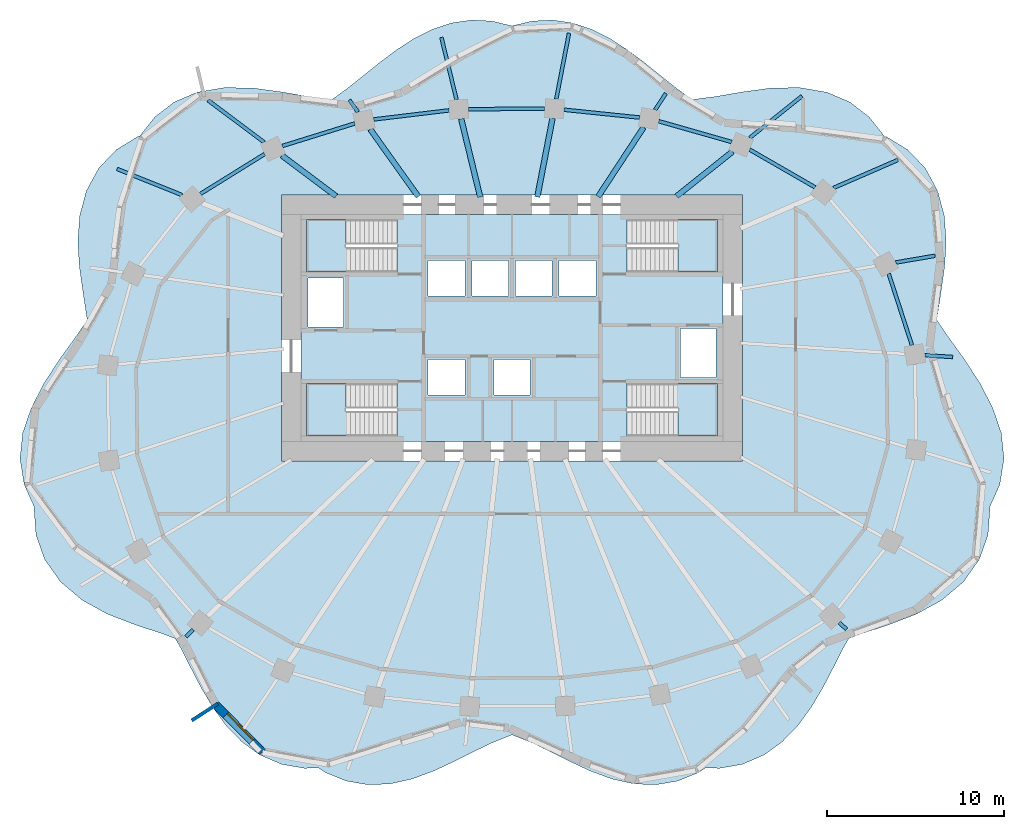
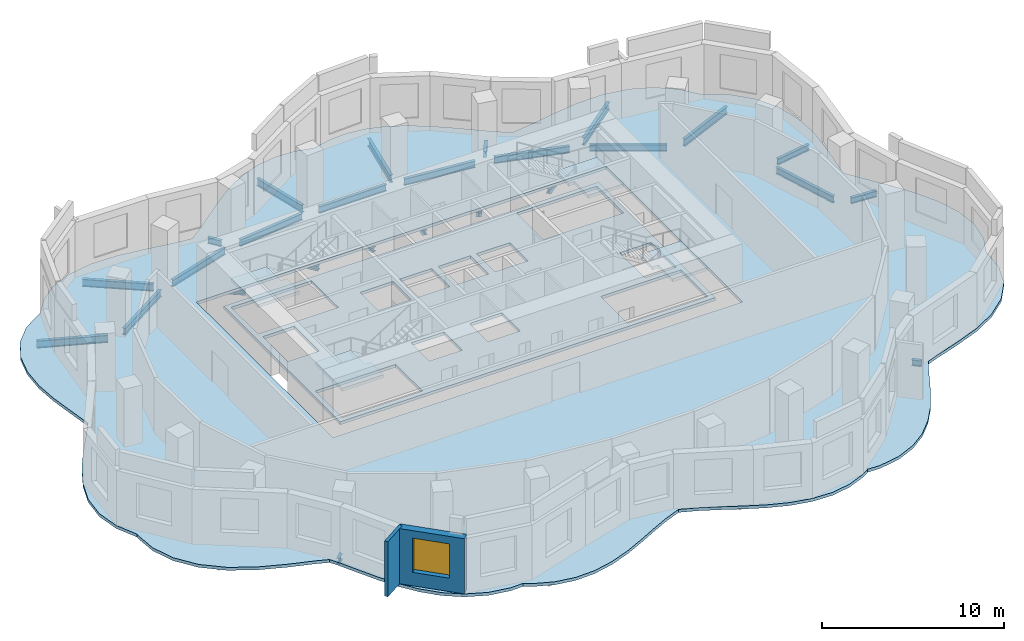
# One storey, part 2 of 8: 26 beams, 6 slabs, 2 walls, 1 window, 1 opening, 4 elements without a shape of their own.
"""IFC4 building model written with IfcOpenShell, lengths in metres."""

from ifc_helpers import new_model, si_unit, direction, frame, frame_2d, origin, origin_2d, place, context, subcontext, project, spatial, polyline, rectangle, i_section, outline, extrude, material, layer, layer_set, material_profile, profile_set, type_object, element, fill, aggregate, save


model = new_model("IFC4")

# Units and contexts
model_context = context("Model", 3, precision=1e-05, world=origin(), true_north=direction((0.0, 1.0)))
body_context = subcontext(model_context, "Body", "Model", "MODEL_VIEW")
ifc_project = project(units=[si_unit("LENGTHUNIT", "METRE"), si_unit("AREAUNIT", "SQUARE_METRE"), si_unit("VOLUMEUNIT", "CUBIC_METRE"), si_unit("PLANEANGLEUNIT", "RADIAN"), si_unit("MASSUNIT", "GRAM", prefix="KILO")], contexts=[model_context])

# Site, building, storey
site_placement = place(None, origin())
site = spatial("IfcSite", under=ifc_project, at=site_placement, CompositionType="ELEMENT")
building_placement = place(site_placement, origin())
building = spatial("IfcBuilding", under=site, at=building_placement, Name="Rubra Terraces Tower", CompositionType="ELEMENT")
storey_placement = place(building_placement, frame((0.0, 0.0, 150.0)))
storey = spatial("IfcBuildingStorey", under=building, at=storey_placement, Name="L36", CompositionType="ELEMENT", Elevation=150.0)

# Beams
ifc_material_1 = material(Name="Steel Q355B", Category="steel")
ifc_material_profile_1 = material_profile(ifc_material_1, i_section(OverallWidth=0.199951171875, OverallDepth=0.39990234375, WebThickness=0.008056640625, FlangeThickness=0.012939453125, at=origin_2d()), Name="HN 400x200x8x13")
ifc_profile_set_1 = profile_set([ifc_material_profile_1], Name="Steel Q355B")
beam_type_1 = type_object("IfcBeamType", Name="CANTILEVER BEAM HN 400x200x8x13", PredefinedType="BEAM", material=ifc_profile_set_1)
beam_1_placement = place(storey_placement, frame((23.298095703125, 2.9560546875, -0.39990234375), z_axis=(0.997804377755, -0.066230081789, 0.0), x_axis=(0.066230081789, 0.997804377755, 0.0)))
element("IfcBeam", 1, at=beam_1_placement, inside=storey, type_object=beam_type_1, Name="beam-L36-cant-01", PredefinedType="BEAM", context=body_context, shape_type="SweptSolid", body=[
    extrude(i_section(OverallWidth=0.199951171875, OverallDepth=0.39990234375, WebThickness=0.008056640625, FlangeThickness=0.012939453125, at=origin_2d()), origin(), (0.0, 0.0, 1.0), 1.5703125),
])
beam_2_placement = place(storey_placement, frame((21.656982421875, 8.18798828125, -0.39990234375), z_axis=(0.985785822731, 0.168006879925, 0.0), x_axis=(-0.168006879925, 0.985785822731, 0.0)))
element("IfcBeam", 2, at=beam_2_placement, inside=storey, type_object=beam_type_1, Name="beam-L36-cant-02", PredefinedType="BEAM", context=body_context, shape_type="SweptSolid", body=[
    extrude(i_section(OverallWidth=0.199951171875, OverallDepth=0.39990234375, WebThickness=0.008056640625, FlangeThickness=0.012939453125, at=origin_2d()), origin(), (0.0, 0.0, 1.0), 2.23779296875),
])
ifc_material_profile_2 = material_profile(ifc_material_1, i_section(OverallWidth=0.198974609375, OverallDepth=0.49609375, WebThickness=0.009033203125, FlangeThickness=0.013916015625, at=origin_2d()), Name="HN 496x199x9x14")
ifc_profile_set_2 = profile_set([ifc_material_profile_2], Name="Steel Q355B")
beam_type_2 = type_object("IfcBeamType", Name="CANTILEVER BEAM HN 496x199x9x14", PredefinedType="BEAM", material=ifc_profile_set_2)
beam_3_placement = place(storey_placement, frame((18.14990234375, 12.39697265625, -0.447998046875), z_axis=(0.916966850316, 0.398963401105, 0.0), x_axis=(-0.398963401105, 0.916966850316, 0.0)))
element("IfcBeam", 3, at=beam_3_placement, inside=storey, type_object=beam_type_2, Name="beam-L36-cant-03", PredefinedType="BEAM", context=body_context, shape_type="SweptSolid", body=[
    extrude(i_section(OverallWidth=0.198974609375, OverallDepth=0.49609375, WebThickness=0.009033203125, FlangeThickness=0.013916015625, at=origin_2d()), origin(), (0.0, 0.0, 1.0), 3.949951171875),
])
beam_4_placement = place(storey_placement, frame((13.416015625, 15.222900390625, -0.447998046875), z_axis=(0.781134074702, 0.624363321584, 0.0), x_axis=(-0.624363321584, 0.781134074702, 0.0)))
element("IfcBeam", 4, at=beam_4_placement, inside=storey, type_object=beam_type_2, Name="beam-L36-cant-04", PredefinedType="BEAM", context=body_context, shape_type="SweptSolid", body=[
    extrude(i_section(OverallWidth=0.198974609375, OverallDepth=0.49609375, WebThickness=0.009033203125, FlangeThickness=0.013916015625, at=origin_2d()), origin(), (0.0, 0.0, 1.0), 3.770263671875),
])
beam_5_placement = place(storey_placement, frame((2.498046875, 17.406982421875, -0.447998046875), z_axis=(0.189863542484, 0.981810488452, 0.0), x_axis=(-0.981810488452, 0.189863542484, 0.0)))
element("IfcBeam", 5, at=beam_5_placement, inside=storey, type_object=beam_type_2, Name="beam-L36-cant-06", PredefinedType="BEAM", context=body_context, shape_type="SweptSolid", body=[
    extrude(i_section(OverallWidth=0.198974609375, OverallDepth=0.49609375, WebThickness=0.009033203125, FlangeThickness=0.013916015625, at=origin_2d()), origin(), (0.0, 0.0, 1.0), 3.786865234375),
])
beam_6_placement = place(storey_placement, frame((-3.131103515625, 17.37890625, -0.447998046875), z_axis=(-0.236144325216, 0.971717992871, 0.0), x_axis=(-0.971717992871, -0.236144325216, 0.0)))
element("IfcBeam", 6, at=beam_6_placement, inside=storey, type_object=beam_type_2, Name="beam-L36-cant-07", PredefinedType="BEAM", context=body_context, shape_type="SweptSolid", body=[
    extrude(i_section(OverallWidth=0.198974609375, OverallDepth=0.49609375, WebThickness=0.009033203125, FlangeThickness=0.013916015625, at=origin_2d()), origin(), (0.0, 0.0, 1.0), 3.607177734375),
])
beam_7_placement = place(storey_placement, frame((-13.989013671875, 14.971923828125, -0.447998046875), z_axis=(-0.80051150228, 0.599317390635, 0.0), x_axis=(-0.599317390635, -0.80051150228, 0.0)))
element("IfcBeam", 7, at=beam_7_placement, inside=storey, type_object=beam_type_2, Name="beam-L36-cant-09", PredefinedType="BEAM", context=body_context, shape_type="SweptSolid", body=[
    extrude(i_section(OverallWidth=0.198974609375, OverallDepth=0.49609375, WebThickness=0.009033203125, FlangeThickness=0.013916015625, at=origin_2d()), origin(), (0.0, 0.0, 1.0), 3.94970703125),
])
beam_8_placement = place(storey_placement, frame((-18.6201171875, 11.991943359375, -0.447998046875), z_axis=(-0.927758876375, 0.373180207551, 0.0), x_axis=(-0.373180207551, -0.927758876375, 0.0)))
element("IfcBeam", 8, at=beam_8_placement, inside=storey, type_object=beam_type_2, Name="beam-L36-cant-10", PredefinedType="BEAM", context=body_context, shape_type="SweptSolid", body=[
    extrude(i_section(OverallWidth=0.198974609375, OverallDepth=0.49609375, WebThickness=0.009033203125, FlangeThickness=0.013916015625, at=origin_2d()), origin(), (0.0, 0.0, 1.0), 3.9501953125),
])
ifc_material_profile_3 = material_profile(ifc_material_1, i_section(OverallWidth=0.199951171875, OverallDepth=0.39990234375, WebThickness=0.008056640625, FlangeThickness=0.012939453125, at=origin_2d()), Name="HN 400x200x8x13")
ifc_profile_set_3 = profile_set([ifc_material_profile_3], Name="Steel Q355B")
beam_type_3 = type_object("IfcBeamType", Name="CANTILEVER STUB HN 400x200x8x13", PredefinedType="BEAM", material=ifc_profile_set_3)
beam_9_placement = place(storey_placement, frame((8.076904296875, 16.803955078125, -0.39990234375), z_axis=(0.548922002117, 0.835873576321, 0.0), x_axis=(-0.835873576321, 0.548922002117, 0.0)))
element("IfcBeam", 9, at=beam_9_placement, inside=storey, type_object=beam_type_3, Name="beam-L36-cant-05", PredefinedType="BEAM", context=body_context, shape_type="SweptSolid", body=[
    extrude(i_section(OverallWidth=0.199951171875, OverallDepth=0.39990234375, WebThickness=0.008056640625, FlangeThickness=0.012939453125, at=origin_2d()), origin(), (0.0, 0.0, 1.0), 1.104248046875),
])
beam_10_placement = place(storey_placement, frame((-8.695068359375, 16.679931640625, -0.39990234375), z_axis=(-0.581377766879, 0.813633758013, 0.0), x_axis=(-0.813633758013, -0.581377766879, 0.0)))
element("IfcBeam", 10, at=beam_10_placement, inside=storey, type_object=beam_type_3, Name="beam-L36-cant-08", PredefinedType="BEAM", context=body_context, shape_type="SweptSolid", body=[
    extrude(i_section(OverallWidth=0.199951171875, OverallDepth=0.39990234375, WebThickness=0.008056640625, FlangeThickness=0.012939453125, at=origin_2d()), origin(), (0.0, 0.0, 1.0), 0.827392578125),
])
beam_11_placement = place(storey_placement, frame((-17.986083984375, -12.531982421875, -0.39990234375), z_axis=(-0.726444897189, -0.687224716777, 0.0), x_axis=(0.687224716777, -0.726444897189, 0.0)))
element("IfcBeam", 11, at=beam_11_placement, inside=storey, type_object=beam_type_3, Name="beam-L36-cant-15", PredefinedType="BEAM", context=body_context, shape_type="SweptSolid", body=[
    extrude(i_section(OverallWidth=0.199951171875, OverallDepth=0.39990234375, WebThickness=0.008056640625, FlangeThickness=0.012939453125, at=origin_2d()), origin(), (0.0, 0.0, 1.0), 0.560302734375),
])
beam_12_placement = place(storey_placement, frame((18.4619140625, -12.133056640625, -0.39990234375), z_axis=(0.741990577172, -0.670410309727, 0.0), x_axis=(0.670410309727, 0.741990577172, 0.0)))
element("IfcBeam", 12, at=beam_12_placement, inside=storey, type_object=beam_type_3, Name="beam-L36-cant-22", PredefinedType="BEAM", context=body_context, shape_type="SweptSolid", body=[
    extrude(i_section(OverallWidth=0.199951171875, OverallDepth=0.39990234375, WebThickness=0.008056640625, FlangeThickness=0.012939453125, at=origin_2d()), origin(), (0.0, 0.0, 1.0), 0.559326171875),
])
ifc_material_profile_4 = material_profile(ifc_material_1, i_section(OverallWidth=0.304931640625, OverallDepth=0.300048828125, WebThickness=0.014892578125, FlangeThickness=0.014892578125, at=origin_2d()), Name="HW 300x305x15x15")
ifc_profile_set_4 = profile_set([ifc_material_profile_4], Name="Steel Q355B")
beam_type_4 = type_object("IfcBeamType", Name="FLOOR BEAM HW 300x305x15x15", PredefinedType="BEAM", material=ifc_profile_set_4)
beam_13_placement = place(storey_placement, frame((12.43798828125, 14.44091796875, -0.35009765625), z_axis=(-0.781170160898, -0.624318171867, 0.0), x_axis=(0.624318171867, -0.781170160898, 0.0)))
element("IfcBeam", 13, at=beam_13_placement, inside=storey, type_object=beam_type_4, Name="beam-L36-floor-04", PredefinedType="BEAM", context=body_context, shape_type="SweptSolid", body=[
    extrude(i_section(OverallWidth=0.304931640625, OverallDepth=0.300048828125, WebThickness=0.014892578125, FlangeThickness=0.014892578125, at=origin_2d()), origin(), (0.0, 0.0, 1.0), 4.02978515625),
])
beam_14_placement = place(storey_placement, frame((7.425048828125, 15.81005859375, -0.35009765625), z_axis=(-0.548820601732, -0.835940157616, 0.0), x_axis=(0.835940157616, -0.548820601732, 0.0)))
element("IfcBeam", 14, at=beam_14_placement, inside=storey, type_object=beam_type_4, Name="beam-L36-floor-05", PredefinedType="BEAM", context=body_context, shape_type="SweptSolid", body=[
    extrude(i_section(OverallWidth=0.304931640625, OverallDepth=0.300048828125, WebThickness=0.014892578125, FlangeThickness=0.014892578125, at=origin_2d()), origin(), (0.0, 0.0, 1.0), 4.677490234375),
])
beam_15_placement = place(storey_placement, frame((2.285888671875, 16.31689453125, -0.35009765625), z_axis=(-0.189927794489, -0.981798061151, 0.0), x_axis=(0.981798061151, -0.189927794489, 0.0)))
element("IfcBeam", 15, at=beam_15_placement, inside=storey, type_object=beam_type_4, Name="beam-L36-floor-06", PredefinedType="BEAM", context=body_context, shape_type="SweptSolid", body=[
    extrude(i_section(OverallWidth=0.304931640625, OverallDepth=0.300048828125, WebThickness=0.014892578125, FlangeThickness=0.014892578125, at=origin_2d()), origin(), (0.0, 0.0, 1.0), 4.51708984375),
])
beam_16_placement = place(storey_placement, frame((-2.866943359375, 16.29296875, -0.35009765625), z_axis=(0.236214306521, -0.971700983531, 0.0), x_axis=(0.971700983531, 0.236214306521, 0.0)))
element("IfcBeam", 16, at=beam_16_placement, inside=storey, type_object=beam_type_4, Name="beam-L36-floor-07", PredefinedType="BEAM", context=body_context, shape_type="SweptSolid", body=[
    extrude(i_section(OverallWidth=0.304931640625, OverallDepth=0.300048828125, WebThickness=0.014892578125, FlangeThickness=0.014892578125, at=origin_2d()), origin(), (0.0, 0.0, 1.0), 4.538330078125),
])
beam_17_placement = place(storey_placement, frame((-7.9990234375, 15.7041015625, -0.35009765625), z_axis=(0.581010755177, -0.813895879317, 0.0), x_axis=(0.813895879317, 0.581010755177, 0.0)))
element("IfcBeam", 17, at=beam_17_placement, inside=storey, type_object=beam_type_4, Name="beam-L36-floor-08", PredefinedType="BEAM", context=body_context, shape_type="SweptSolid", body=[
    extrude(i_section(OverallWidth=0.304931640625, OverallDepth=0.300048828125, WebThickness=0.014892578125, FlangeThickness=0.014892578125, at=origin_2d()), origin(), (0.0, 0.0, 1.0), 4.67138671875),
])
beam_18_placement = place(storey_placement, frame((-12.985107421875, 14.219970703125, -0.35009765625), z_axis=(0.800566460925, -0.599243975057, 0.0), x_axis=(0.599243975057, 0.800566460925, 0.0)))
element("IfcBeam", 18, at=beam_18_placement, inside=storey, type_object=beam_type_4, Name="beam-L36-floor-09", PredefinedType="BEAM", context=body_context, shape_type="SweptSolid", body=[
    extrude(i_section(OverallWidth=0.304931640625, OverallDepth=0.300048828125, WebThickness=0.014892578125, FlangeThickness=0.014892578125, at=origin_2d()), origin(), (0.0, 0.0, 1.0), 3.82470703125),
])
ifc_material_profile_5 = material_profile(ifc_material_1, i_section(OverallWidth=0.198974609375, OverallDepth=0.446044921875, WebThickness=0.008056640625, FlangeThickness=0.011962890625, at=origin_2d()), Name="HN 446x199x8x12")
ifc_profile_set_5 = profile_set([ifc_material_profile_5], Name="Steel Q355B")
beam_type_5 = type_object("IfcBeamType", Name="SPANDREL BEAM HN 446x199x8x12", PredefinedType="SPANDREL", material=ifc_profile_set_5)
beam_19_placement = place(storey_placement, frame((22.56201171875, 3.52197265625, -0.423095703125), z_axis=(-0.308462461648, 0.951236516201, 0.0), x_axis=(-0.951236516201, -0.308462461648, 0.0)))
element("IfcBeam", 19, at=beam_19_placement, inside=storey, type_object=beam_type_5, Name="beam-L36-spandrel-01", PredefinedType="SPANDREL", context=body_context, shape_type="SweptSolid", body=[
    extrude(i_section(OverallWidth=0.198974609375, OverallDepth=0.446044921875, WebThickness=0.008056640625, FlangeThickness=0.011962890625, at=origin_2d()), origin(), (0.0, 0.0, 1.0), 4.24072265625),
])
beam_20_placement = place(storey_placement, frame((17.10009765625, 12.428955078125, -0.423095703125), z_axis=(-0.866560147027, 0.49907265161, 0.0), x_axis=(-0.49907265161, -0.866560147027, 0.0)))
element("IfcBeam", 20, at=beam_20_placement, inside=storey, type_object=beam_type_5, Name="beam-L36-spandrel-03", PredefinedType="SPANDREL", context=body_context, shape_type="SweptSolid", body=[
    extrude(i_section(OverallWidth=0.198974609375, OverallDepth=0.446044921875, WebThickness=0.008056640625, FlangeThickness=0.011962890625, at=origin_2d()), origin(), (0.0, 0.0, 1.0), 4.26171875),
])
beam_21_placement = place(storey_placement, frame((12.39404296875, 14.98388671875, -0.423095703125), z_axis=(-0.961693978406, 0.274125321518, 0.0), x_axis=(-0.274125321518, -0.961693978406, 0.0)))
element("IfcBeam", 21, at=beam_21_placement, inside=storey, type_object=beam_type_5, Name="beam-L36-spandrel-04", PredefinedType="SPANDREL", context=body_context, shape_type="SweptSolid", body=[
    extrude(i_section(OverallWidth=0.198974609375, OverallDepth=0.446044921875, WebThickness=0.008056640625, FlangeThickness=0.011962890625, at=origin_2d()), origin(), (0.0, 0.0, 1.0), 4.27587890625),
])
beam_22_placement = place(storey_placement, frame((7.201904296875, 16.364013671875, -0.423095703125), z_axis=(-0.994691190497, 0.102904983103, 0.0), x_axis=(-0.102904983103, -0.994691190497, 0.0)))
element("IfcBeam", 22, at=beam_22_placement, inside=storey, type_object=beam_type_5, Name="beam-L36-spandrel-05", PredefinedType="SPANDREL", context=body_context, shape_type="SweptSolid", body=[
    extrude(i_section(OverallWidth=0.198974609375, OverallDepth=0.446044921875, WebThickness=0.008056640625, FlangeThickness=0.011962890625, at=origin_2d()), origin(), (0.0, 0.0, 1.0), 4.28466796875),
])
beam_23_placement = place(storey_placement, frame((1.841064453125, 16.85888671875, -0.423095703125), z_axis=(-0.999989371096, -0.004610606731, 0.0), x_axis=(0.004610606731, -0.999989371096, 0.0)))
element("IfcBeam", 23, at=beam_23_placement, inside=storey, type_object=beam_type_5, Name="beam-L36-spandrel-06", PredefinedType="SPANDREL", context=body_context, shape_type="SweptSolid", body=[
    extrude(i_section(OverallWidth=0.198974609375, OverallDepth=0.446044921875, WebThickness=0.008056640625, FlangeThickness=0.011962890625, at=origin_2d()), origin(), (0.0, 0.0, 1.0), 4.2890625),
])
beam_24_placement = place(storey_placement, frame((-3.5458984375, 16.77001953125, -0.423095703125), z_axis=(-0.992833084949, -0.119509269223, 0.0), x_axis=(0.119509269223, -0.992833084949, 0.0)))
element("IfcBeam", 24, at=beam_24_placement, inside=storey, type_object=beam_type_5, Name="beam-L36-spandrel-07", PredefinedType="SPANDREL", context=body_context, shape_type="SweptSolid", body=[
    extrude(i_section(OverallWidth=0.198974609375, OverallDepth=0.446044921875, WebThickness=0.008056640625, FlangeThickness=0.011962890625, at=origin_2d()), origin(), (0.0, 0.0, 1.0), 4.283935546875),
])
beam_25_placement = place(storey_placement, frame((-8.8740234375, 16.028076171875, -0.423095703125), z_axis=(-0.955002801089, -0.296596780008, 0.0), x_axis=(0.296596780008, -0.955002801089, 0.0)))
element("IfcBeam", 25, at=beam_25_placement, inside=storey, type_object=beam_type_5, Name="beam-L36-spandrel-08", PredefinedType="SPANDREL", context=body_context, shape_type="SweptSolid", body=[
    extrude(i_section(OverallWidth=0.198974609375, OverallDepth=0.446044921875, WebThickness=0.008056640625, FlangeThickness=0.011962890625, at=origin_2d()), origin(), (0.0, 0.0, 1.0), 4.275390625),
])
beam_26_placement = place(storey_placement, frame((-13.9580078125, 14.303955078125, -0.423095703125), z_axis=(-0.849549830498, -0.527508374816, 0.0), x_axis=(0.527508374816, -0.849549830498, 0.0)))
element("IfcBeam", 26, at=beam_26_placement, inside=storey, type_object=beam_type_5, Name="beam-L36-spandrel-09", PredefinedType="SPANDREL", context=body_context, shape_type="SweptSolid", body=[
    extrude(i_section(OverallWidth=0.198974609375, OverallDepth=0.446044921875, WebThickness=0.008056640625, FlangeThickness=0.011962890625, at=origin_2d()), origin(), (0.0, 0.0, 1.0), 4.259765625),
])

# Slab
ifc_material_2 = material(Name="Concrete C40", Category="concrete")
ifc_layer_1 = layer(ifc_material_2, 0.199951171875)
ifc_layer_set_1 = layer_set([ifc_layer_1], Name="Concrete C40")
slab_type_1 = type_object("IfcSlabType", Name="Core floor slab 200 concrete", PredefinedType="FLOOR", material=ifc_layer_set_1)
slab_1_placement = place(storey_placement, frame((0.0, 0.0, -0.199951171875)))
element("IfcSlab", 27, at=slab_1_placement, inside=storey, type_object=slab_type_1, Name="CORE FLOOR SLAB L36", PredefinedType="FLOOR", context=body_context, shape_type="SweptSolid", body=[
    extrude(outline(polyline([(-11.89990234375, -1.89990234375), (-11.89990234375, 10.89990234375), (11.89990234375, 10.89990234375), (11.89990234375, -1.89990234375), (-11.89990234375, -1.89990234375)]), holes=[polyline([(11.597900390625, 1.347900390625), (6.501953125, 1.347900390625), (6.501953125, -1.597900390625), (11.597900390625, -1.597900390625), (11.597900390625, 1.347900390625)]), polyline([(11.597900390625, 7.652099609375), (11.597900390625, 10.597900390625), (6.501953125, 10.597900390625), (6.501953125, 7.652099609375), (11.597900390625, 7.652099609375)]), polyline([(9.5, 1.699951171875), (11.5, 1.699951171875), (11.5, 4.449951171875), (9.5, 4.449951171875), (9.5, 1.699951171875)]), polyline([(4.75, 6.300048828125), (4.75, 8.300048828125), (2.64990234375, 8.300048828125), (2.64990234375, 6.300048828125), (4.75, 6.300048828125)]), polyline([(2.25, 8.300048828125), (0.199951171875, 8.300048828125), (0.199951171875, 6.300048828125), (2.25, 6.300048828125), (2.25, 8.300048828125)]), polyline([(1.02490234375, 0.699951171875), (1.02490234375, 2.699951171875), (-1.02490234375, 2.699951171875), (-1.02490234375, 0.699951171875), (1.02490234375, 0.699951171875)]), polyline([(-0.199951171875, 6.300048828125), (-0.199951171875, 8.300048828125), (-2.25, 8.300048828125), (-2.25, 6.300048828125), (-0.199951171875, 6.300048828125)]), polyline([(-4.75, 8.300048828125), (-4.75, 6.300048828125), (-2.64990234375, 6.300048828125), (-2.64990234375, 8.300048828125), (-4.75, 8.300048828125)]), polyline([(-2.64990234375, 0.699951171875), (-2.64990234375, 2.699951171875), (-4.75, 2.699951171875), (-4.75, 0.699951171875), (-2.64990234375, 0.699951171875)]), polyline([(-11.597900390625, -1.597900390625), (-6.501953125, -1.597900390625), (-6.501953125, 1.347900390625), (-11.597900390625, 1.347900390625), (-11.597900390625, -1.597900390625)]), polyline([(-11.597900390625, 10.597900390625), (-11.597900390625, 7.652099609375), (-6.501953125, 7.652099609375), (-6.501953125, 10.597900390625), (-11.597900390625, 10.597900390625)]), polyline([(-9.5, 4.550048828125), (-9.5, 7.300048828125), (-11.5, 7.300048828125), (-11.5, 4.550048828125), (-9.5, 4.550048828125)])]), origin(), (0.0, 0.0, 1.0), 0.199951171875),
])

# Stair, slab
stair_type = type_object("IfcStairType", Name="Core stair 1400", PredefinedType="HALF_TURN_STAIR", material=ifc_material_2)
stair_1_placement = place(storey_placement, origin())
stair_1 = element("IfcStair", 28, at=stair_1_placement, inside=storey, type_object=stair_type, Name="L36 Exit stair S1", PredefinedType="HALF_TURN_STAIR")
ifc_layer_2 = layer(ifc_material_2, 0.199951171875)
ifc_layer_set_2 = layer_set([ifc_layer_2], Name="Concrete C40")
slab_type_2 = type_object("IfcSlabType", Name="Core stair landing 200", PredefinedType="LANDING", material=ifc_layer_set_2)
slab_2_placement = place(storey_placement, frame((0.0, 0.0, 1.75)))
slab_2 = element("IfcSlab", 29, at=slab_2_placement, type_object=slab_type_2, Name="S1 landing 1", PredefinedType="LANDING", context=body_context, shape_type="SweptSolid", body=[
    extrude(outline(polyline([(-8.97998046875, -0.199951171875), (-8.97998046875, -1.60009765625), (-9.360107421875, -1.60009765625), (-9.3798828125, -1.60009765625), (-11.60009765625, -1.60009765625), (-11.60009765625, 1.35009765625), (-9.3798828125, 1.35009765625), (-9.35791015625, 1.35009765625), (-9.35791015625, -0.050048828125), (-9.360107421875, -0.050048828125), (-9.360107421875, -0.199951171875), (-8.97998046875, -0.199951171875)])), origin(), (0.0, 0.0, 1.0), 0.199951171875),
])
aggregate(stair_1, [slab_2])

stair_2_placement = place(storey_placement, origin())
stair_2 = element("IfcStair", 30, at=stair_2_placement, inside=storey, type_object=stair_type, Name="L36 Exit stair S2", PredefinedType="HALF_TURN_STAIR")
slab_3_placement = place(storey_placement, frame((0.0, 0.0, 1.75)))
slab_3 = element("IfcSlab", 31, at=slab_3_placement, type_object=slab_type_2, Name="S2 landing 1", PredefinedType="LANDING", context=body_context, shape_type="SweptSolid", body=[
    extrude(outline(polyline([(-8.97998046875, 9.050048828125), (-8.97998046875, 7.64990234375), (-9.3798828125, 7.64990234375), (-11.60009765625, 7.64990234375), (-11.60009765625, 10.60009765625), (-9.3798828125, 10.60009765625), (-9.360107421875, 10.60009765625), (-9.35791015625, 10.60009765625), (-9.35791015625, 9.199951171875), (-9.360107421875, 9.199951171875), (-9.360107421875, 9.050048828125), (-8.97998046875, 9.050048828125)])), origin(), (0.0, 0.0, 1.0), 0.199951171875),
])
aggregate(stair_2, [slab_3])

stair_3_placement = place(storey_placement, origin())
stair_3 = element("IfcStair", 32, at=stair_3_placement, inside=storey, type_object=stair_type, Name="L36 Exit stair S3", PredefinedType="HALF_TURN_STAIR")
slab_4_placement = place(storey_placement, frame((0.0, 0.0, 1.75)))
slab_4 = element("IfcSlab", 33, at=slab_4_placement, type_object=slab_type_2, Name="S3 landing 1", PredefinedType="LANDING", context=body_context, shape_type="SweptSolid", body=[
    extrude(outline(polyline([(9.360107421875, 9.050048828125), (9.360107421875, 9.199951171875), (8.97998046875, 9.199951171875), (8.97998046875, 10.60009765625), (9.360107421875, 10.60009765625), (9.3798828125, 10.60009765625), (11.60009765625, 10.60009765625), (11.60009765625, 7.64990234375), (9.3798828125, 7.64990234375), (9.35791015625, 7.64990234375), (9.35791015625, 9.050048828125), (9.360107421875, 9.050048828125)])), origin(), (0.0, 0.0, 1.0), 0.199951171875),
])
aggregate(stair_3, [slab_4])

stair_4_placement = place(storey_placement, origin())
stair_4 = element("IfcStair", 34, at=stair_4_placement, inside=storey, type_object=stair_type, Name="L36 Exit stair S4", PredefinedType="HALF_TURN_STAIR")
slab_5_placement = place(storey_placement, frame((0.0, 0.0, 1.75)))
slab_5 = element("IfcSlab", 35, at=slab_5_placement, type_object=slab_type_2, Name="S4 landing 1", PredefinedType="LANDING", context=body_context, shape_type="SweptSolid", body=[
    extrude(outline(polyline([(9.360107421875, -0.199951171875), (9.360107421875, -0.050048828125), (8.97998046875, -0.050048828125), (8.97998046875, 1.35009765625), (9.360107421875, 1.35009765625), (9.3798828125, 1.35009765625), (11.60009765625, 1.35009765625), (11.60009765625, -1.60009765625), (9.3798828125, -1.60009765625), (9.360107421875, -1.60009765625), (9.35791015625, -1.60009765625), (9.35791015625, -0.199951171875), (9.360107421875, -0.199951171875)])), origin(), (0.0, 0.0, 1.0), 0.199951171875),
])
aggregate(stair_4, [slab_5])

# Slab
ifc_layer_3 = layer(ifc_material_2, 0.199951171875)
ifc_layer_set_3 = layer_set([ifc_layer_3], Name="Concrete C40")
slab_type_3 = type_object("IfcSlabType", Name="FLOOR SLAB 200 COMPOSITE", PredefinedType="FLOOR", material=ifc_layer_set_3)
slab_6_placement = place(storey_placement, frame((0.0, 0.0, -0.199951171875)))
element("IfcSlab", 36, at=slab_6_placement, inside=storey, type_object=slab_type_3, Name="FLOOR SLAB L36", PredefinedType="FLOOR", context=body_context, shape_type="SweptSolid", body=[
    extrude(outline(polyline([(18.68603515625, -13.575927734375), (18.998046875, -13.033935546875), (19.68798828125, -12.76904296875), (21.23095703125, -12.264892578125), (22.845947265625, -11.64111328125), (24.2529296875, -10.863037109375), (25.468017578125, -9.8359375), (26.367919921875, -8.56689453125), (26.85693359375, -7.18896484375), (26.966064453125, -5.718017578125), (26.949951171875, -5.618896484375), (27.52001953125, -4.35888671875), (27.758056640625, -2.89501953125), (27.60400390625, -1.422119140625), (27.116943359375, 0.0), (26.39990234375, 1.382080078125), (25.549072265625, 2.694091796875), (24.676025390625, 3.907958984375), (23.97607421875, 4.924072265625), (23.986083984375, 5.06591796875), (24.195068359375, 6.444091796875), (24.408935546875, 7.930908203125), (24.4990234375, 9.3798828125), (24.387939453125, 10.840087890625), (24.011962890625, 12.235107421875), (23.31494140625, 13.51611328125), (22.318115234375, 14.55810546875), (21.076904296875, 15.31298828125), (20.986083984375, 15.342041015625), (20.157958984375, 16.39111328125), (19.06201171875, 17.238037109375), (17.787109375, 17.787109375), (16.205078125, 18.05908203125), (14.56103515625, 18.02392578125), (12.93310546875, 17.801025390625), (11.493896484375, 17.552001953125), (10.166015625, 17.3798828125), (10.117919921875, 17.408935546875), (9.2080078125, 18.072021484375), (8.35205078125, 18.756103515625), (7.468017578125, 19.468017578125), (6.550048828125, 20.159912109375), (5.5458984375, 20.81201171875), (4.5048828125, 21.339111328125), (3.43701171875, 21.697998046875), (2.2880859375, 21.867919921875), (1.136962890625, 21.80908203125), (0.0, 21.537109375), (-1.136962890625, 21.80908203125), (-2.2880859375, 21.867919921875), (-3.43701171875, 21.697998046875), (-4.5048828125, 21.339111328125), (-5.5458984375, 20.81201171875), (-6.550048828125, 20.159912109375), (-7.468017578125, 19.468017578125), (-8.35205078125, 18.756103515625), (-9.2080078125, 18.072021484375), (-10.117919921875, 17.408935546875), (-10.166015625, 17.3798828125), (-11.493896484375, 17.552001953125), (-12.93310546875, 17.801025390625), (-14.56103515625, 18.02392578125), (-16.205078125, 18.05908203125), (-17.787109375, 17.787109375), (-19.06201171875, 17.238037109375), (-20.157958984375, 16.39111328125), (-21.032958984375, 15.281982421875), (-20.986083984375, 15.342041015625), (-21.076904296875, 15.31298828125), (-22.318115234375, 14.55810546875), (-23.31494140625, 13.51611328125), (-24.011962890625, 12.235107421875), (-24.387939453125, 10.840087890625), (-24.4990234375, 9.3798828125), (-24.408935546875, 7.930908203125), (-24.195068359375, 6.444091796875), (-23.986083984375, 5.06591796875), (-23.97607421875, 4.924072265625), (-24.676025390625, 3.907958984375), (-25.549072265625, 2.694091796875), (-26.39990234375, 1.382080078125), (-27.116943359375, 0.0), (-27.60400390625, -1.422119140625), (-27.758056640625, -2.89501953125), (-27.52001953125, -4.35888671875), (-26.949951171875, -5.618896484375), (-26.966064453125, -5.718017578125), (-26.85693359375, -7.18896484375), (-26.367919921875, -8.56689453125), (-25.468017578125, -9.8359375), (-24.2529296875, -10.863037109375), (-22.845947265625, -11.64111328125), (-21.23095703125, -12.264892578125), (-19.68798828125, -12.76904296875), (-18.9990234375, -13.033935546875), (-18.68603515625, -13.575927734375), (-18.14306640625, -14.64404296875), (-17.55908203125, -15.77001953125), (-16.89501953125, -16.89501953125), (-16.1259765625, -17.947021484375), (-15.238037109375, -18.864990234375), (-14.23388671875, -19.591064453125), (-13.013916015625, -20.12109375), (-11.705078125, -20.35302734375), (-10.344970703125, -20.302978515625), (-10.93408203125, -20.324951171875), (-10.498046875, -20.60302734375), (-9.344970703125, -21.069091796875), (-8.137939453125, -21.279052734375), (-6.89892578125, -21.23291015625), (-5.633056640625, -20.951904296875), (-4.3798828125, -20.487060546875), (-3.154052734375, -19.912109375), (-2.0859375, -19.3740234375), (-1.0390625, -18.873046875), (0.0, -18.462890625), (1.0390625, -18.873046875), (2.0859375, -19.3740234375), (3.154052734375, -19.912109375), (4.3798828125, -20.487060546875), (5.633056640625, -20.951904296875), (6.89892578125, -21.23291015625), (8.137939453125, -21.279052734375), (9.344970703125, -21.069091796875), (10.498046875, -20.60302734375), (11.498046875, -19.965087890625), (10.93408203125, -20.324951171875), (11.705078125, -20.35302734375), (13.013916015625, -20.12109375), (14.23388671875, -19.591064453125), (15.238037109375, -18.864990234375), (16.1259765625, -17.947021484375), (16.89501953125, -16.89501953125), (17.55908203125, -15.77001953125), (18.14306640625, -14.64404296875), (18.68603515625, -13.575927734375)]), holes=[polyline([(13.0, 12.0), (13.0, -3.0), (-13.0, -3.0), (-13.0, 12.0), (13.0, 12.0)])]), origin(), (0.0, 0.0, 1.0), 0.199951171875),
])

# Wall, opening, window
ifc_material_3 = material(Name="Brick masonry red-brown", Category="masonry")
ifc_layer_4 = layer(ifc_material_3, 0.449951171875)
ifc_layer_set_4 = layer_set([ifc_layer_4], Name="Brick masonry red-brown")
wall_type_1 = type_object("IfcWallType", Name="Brick facade wall 450", PredefinedType="SOLIDWALL", material=ifc_layer_set_4)
wall_1_placement = place(storey_placement, frame((-16.73486328125, -16.73681640625, 0.0), z_axis=(0.0, 0.0, 1.0), x_axis=(0.702451084622, -0.711732023808, 0.0)))
wall_1 = element("IfcWall", 37, at=wall_1_placement, inside=storey, type_object=wall_type_1, Name="Facade wall L36 bay 26", PredefinedType="SOLIDWALL", context=body_context, shape_type="SweptSolid", body=[
    extrude(rectangle(XDim=3.7880859375, YDim=0.449951171875, at=frame_2d((1.89404296875, 0.0))), origin(), (0.0, 0.0, 1.0), 3.699951171875),
])
opening_placement = place(wall_1_placement, frame((0.843994140625, 0.0, 0.89990234375)))
opening = element("IfcOpeningElement", 38, at=opening_placement, cuts=wall_1, Name="Opening W1B", PredefinedType="OPENING", context=body_context, shape_type="SweptSolid", body=[
    extrude(rectangle(XDim=2.10009765625, YDim=2.300048828125, at=frame_2d((1.050048828125, 1.14990234375))), frame((0.0, 0.23486328125, 0.0), z_axis=(0.0, -1.0, 0.0), x_axis=(1.0, 0.0, 0.0)), (0.0, 0.0, 1.0), 0.469970703125),
])
ifc_material_4 = material(Name="Clear glass in aluminium frame", Category="aluminium")
window_type = type_object("IfcWindowType", Name="Fixed deep-set window tall storey 2100 x 2300", PartitioningType="SINGLE_PANEL", PredefinedType="WINDOW", material=ifc_material_4)
window_placement = place(opening_placement, origin())
window = element("IfcWindow", 39, at=window_placement, inside=storey, type_object=window_type, Name="Window L36 bay 26", OverallHeight=2.300048828125, OverallWidth=2.10009765625, PartitioningType="SINGLE_PANEL", PredefinedType="WINDOW", context=body_context, shape_type="SweptSolid", body=[
    extrude(rectangle(XDim=2.10009765625, YDim=2.300048828125, at=frame_2d((1.050048828125, 1.14990234375))), frame((0.0, 0.135009765625, 0.0), z_axis=(0.0, -1.0, 0.0), x_axis=(1.0, 0.0, 0.0)), (0.0, 0.0, 1.0), 0.06005859375),
])
fill(opening, window)

# Wall
ifc_layer_5 = layer(ifc_material_3, 0.199951171875)
ifc_layer_set_5 = layer_set([ifc_layer_5], Name="Brick masonry red-brown")
wall_type_2 = type_object("IfcWallType", Name="Brick wind fin 200", PredefinedType="SOLIDWALL", material=ifc_layer_set_5)
wall_2_placement = place(storey_placement, frame((-16.60205078125, -16.702880859375, 0.0), z_axis=(0.0, 0.0, 1.0), x_axis=(-0.8390232549, -0.54409555938, 0.0)))
element("IfcWall", 40, at=wall_2_placement, inside=storey, type_object=wall_type_2, Name="Wind fin L36 13", PredefinedType="SOLIDWALL", context=body_context, shape_type="SweptSolid", body=[
    extrude(rectangle(XDim=1.75, YDim=0.199951171875, at=frame_2d((0.875, 0.0))), origin(), (0.0, 0.0, 1.0), 3.699951171875),
])

save(model, "model.ifc")
